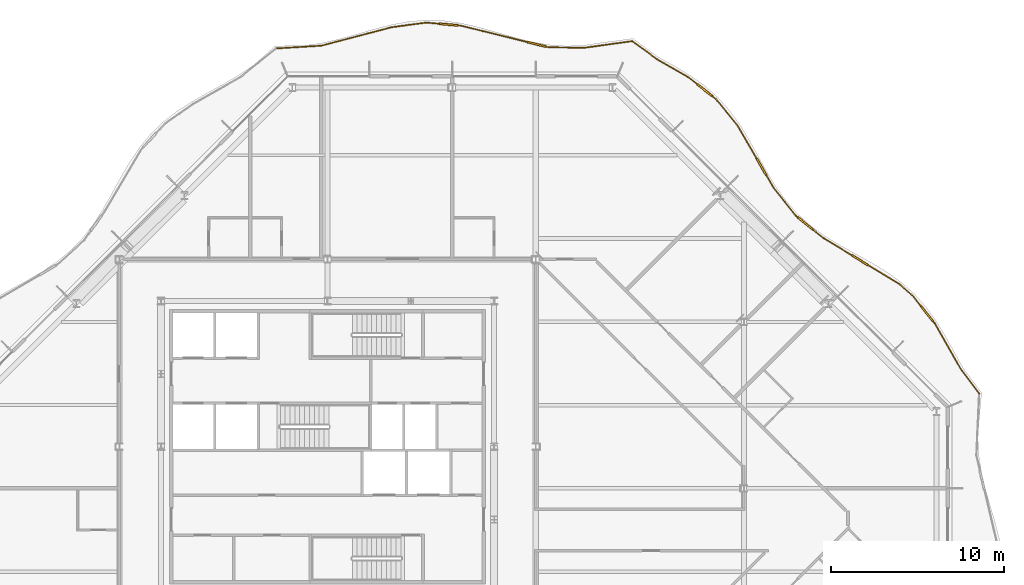
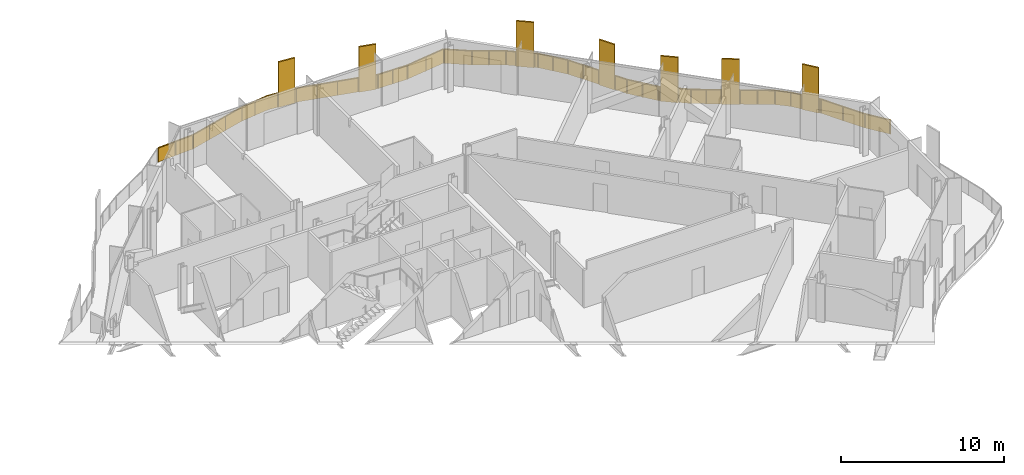
# One storey, part 17 of 17: 2 railings.
"""IFC4 building model written with IfcOpenShell, lengths in metres."""

from ifc_helpers import new_model, si_unit, direction, frame, origin, origin_2d, place, context, subcontext, project, spatial, polyline, rectangle, outline, extrude, material, type_object, element, save


model = new_model("IFC4")

# Units and contexts
model_context = context("Model", 3, precision=1e-05, world=origin(), true_north=direction((0.0, 1.0)))
body_context = subcontext(model_context, "Body", "Model", "MODEL_VIEW")
ifc_project = project(units=[si_unit("LENGTHUNIT", "METRE"), si_unit("AREAUNIT", "SQUARE_METRE"), si_unit("VOLUMEUNIT", "CUBIC_METRE"), si_unit("PLANEANGLEUNIT", "RADIAN"), si_unit("MASSUNIT", "GRAM", prefix="KILO")], contexts=[model_context])

# Site, building, storey
site_placement = place(None, origin())
site = spatial("IfcSite", under=ifc_project, at=site_placement, CompositionType="ELEMENT")
building_placement = place(site_placement, origin())
building = spatial("IfcBuilding", under=site, at=building_placement, Name="Cairn Pilgrim Tower", CompositionType="ELEMENT")
storey_placement = place(building_placement, frame((0.0, 0.0, 232.199951171875)))
storey = spatial("IfcBuildingStorey", under=building, at=storey_placement, Name="L59", CompositionType="ELEMENT", Elevation=232.199951171875)

# Railings
ifc_material = material(Name="Bronze anodised aluminium rail, posts and fin screens with laminated glass infill", Category="aluminium")
railing_type = type_object("IfcRailingType", Name="BALCONY GUARD WITH FIN SCREENS", PredefinedType="GUARDRAIL", material=ifc_material)
railing_1_placement = place(storey_placement, frame((44.757568359375, 5.461181640625, 0.0)))
element("IfcRailing", 1, at=railing_1_placement, inside=storey, type_object=railing_type, Name="Balcony guard BGF-4 with fin screens", PredefinedType="GUARDRAIL", context=body_context, shape_type="SweptSolid", body=[
    extrude(rectangle(XDim=0.050048828125, YDim=0.050048828125, at=origin_2d()), frame((0.0, 0.0, 1.0751953125), z_axis=(-0.601365733248, 0.798973876215, 0.0), x_axis=(-0.798973876215, -0.601365733248, 0.0)), (0.0, 0.0, 1.0), 1.6865234375),
    extrude(rectangle(XDim=0.050048828125, YDim=0.050048828125, at=origin_2d()), frame((-1.01416015625, 1.347412109375, 1.0751953125), z_axis=(-0.495995908465, 0.868324857865, 0.0), x_axis=(-0.868324857865, -0.495995908465, 0.0)), (0.0, 0.0, 1.0), 3.125244140625),
    extrude(rectangle(XDim=1.10009765625, YDim=0.110107421875, at=origin_2d()), frame((-3.001220703125, 4.608154296875, 0.0), z_axis=(0.0, 0.0, 1.0), x_axis=(-0.624158865616, 0.781297453262, 0.0)), (0.0, 0.0, 1.0), 3.39990234375),
    extrude(rectangle(XDim=0.050048828125, YDim=0.050048828125, at=origin_2d()), frame((-2.564208984375, 4.06103515625, 1.0751953125), z_axis=(-0.624158865616, 0.781297453262, 0.0), x_axis=(-0.781297453262, -0.624158865616, 0.0)), (0.0, 0.0, 1.0), 0.150146484375),
    extrude(rectangle(XDim=0.050048828125, YDim=0.050048828125, at=origin_2d()), frame((-3.344482421875, 5.037841796875, 1.0751953125), z_axis=(-0.624158865616, 0.781297453262, 0.0), x_axis=(-0.781297453262, -0.624158865616, 0.0)), (0.0, 0.0, 1.0), 0.74951171875),
    extrude(rectangle(XDim=0.050048828125, YDim=0.050048828125, at=origin_2d()), frame((-3.812255859375, 5.623291015625, 1.0751953125), z_axis=(-0.745456094868, 0.666554731905, 0.0), x_axis=(-0.666554731905, -0.745456094868, 0.0)), (0.0, 0.0, 1.0), 0.98095703125),
    extrude(rectangle(XDim=1.10009765625, YDim=0.110107421875, at=origin_2d()), frame((-6.878173828125, 7.695068359375, 0.0), z_axis=(0.0, 0.0, 1.0), x_axis=(-0.85470674054, 0.519111151561, 0.0)), (0.0, 0.0, 1.0), 3.39990234375),
    extrude(rectangle(XDim=0.050048828125, YDim=0.050048828125, at=origin_2d()), frame((-4.54345703125, 6.277099609375, 1.0751953125), z_axis=(-0.85470674054, 0.519111151561, 0.0), x_axis=(-0.519111151561, -0.85470674054, 0.0)), (0.0, 0.0, 1.0), 2.181640625),
    extrude(rectangle(XDim=0.050048828125, YDim=0.050048828125, at=origin_2d()), frame((-7.348388671875, 7.980712890625, 1.0751953125), z_axis=(-0.85470674054, 0.519111151561, 0.0), x_axis=(-0.519111151561, -0.85470674054, 0.0)), (0.0, 0.0, 1.0), 1.890625),
    extrude(rectangle(XDim=1.10009765625, YDim=0.110107421875, at=origin_2d()), frame((-10.0146484375, 9.809326171875, 0.0), z_axis=(0.0, 0.0, 1.0), x_axis=(-0.778375482298, 0.627799019239, 0.0)), (0.0, 0.0, 1.0), 3.39990234375),
    extrude(rectangle(XDim=0.050048828125, YDim=0.050048828125, at=origin_2d()), frame((-8.96435546875, 8.962158203125, 1.0751953125), z_axis=(-0.778375482298, 0.627799019239, 0.0), x_axis=(-0.627799019239, -0.778375482298, 0.0)), (0.0, 0.0, 1.0), 0.799560546875),
    extrude(rectangle(XDim=0.050048828125, YDim=0.050048828125, at=origin_2d()), frame((-10.44287109375, 10.154541015625, 1.0751953125), z_axis=(-0.778375482298, 0.627799019239, 0.0), x_axis=(-0.627799019239, -0.778375482298, 0.0)), (0.0, 0.0, 1.0), 0.14990234375),
    extrude(rectangle(XDim=0.050048828125, YDim=0.050048828125, at=origin_2d()), frame((-10.5595703125, 10.248779296875, 1.0751953125), z_axis=(-0.622675933805, 0.782479828149, 0.0), x_axis=(-0.782479828149, -0.622675933805, 0.0)), (0.0, 0.0, 1.0), 2.0517578125),
    extrude(rectangle(XDim=1.10009765625, YDim=0.110107421875, at=origin_2d()), frame((-12.548583984375, 13.077880859375, 0.0), z_axis=(0.0, 0.0, 1.0), x_axis=(-0.502546001039, 0.864550470961, 0.0)), (0.0, 0.0, 1.0), 3.39990234375),
    extrude(rectangle(XDim=0.050048828125, YDim=0.050048828125, at=origin_2d()), frame((-11.837158203125, 11.854248046875, 1.0751953125), z_axis=(-0.502546001039, 0.864550470961, 0.0), x_axis=(-0.864550470961, -0.502546001039, 0.0)), (0.0, 0.0, 1.0), 0.865478515625),
    extrude(rectangle(XDim=0.050048828125, YDim=0.050048828125, at=origin_2d()), frame((-12.824951171875, 13.553466796875, 1.0751953125), z_axis=(-0.502546001039, 0.864550470961, 0.0), x_axis=(-0.864550470961, -0.502546001039, 0.0)), (0.0, 0.0, 1.0), 2.195068359375),
    extrude(rectangle(XDim=0.050048828125, YDim=0.050048828125, at=origin_2d()), frame((-13.927978515625, 15.451171875, 1.0751953125), z_axis=(-0.63148210093, 0.775390454032, 0.0), x_axis=(-0.775390454032, -0.63148210093, 0.0)), (0.0, 0.0, 1.0), 1.993408203125),
    extrude(rectangle(XDim=1.10009765625, YDim=0.110107421875, at=origin_2d()), frame((-15.812255859375, 17.489990234375, 0.0), z_axis=(0.0, 0.0, 1.0), x_axis=(-0.785354848701, 0.619045847755, 0.0)), (0.0, 0.0, 1.0), 3.39990234375),
    extrude(rectangle(XDim=0.050048828125, YDim=0.050048828125, at=origin_2d()), frame((-15.186767578125, 16.996826171875, 1.0751953125), z_axis=(-0.785354848701, 0.619045847755, 0.0), x_axis=(-0.619045847755, -0.785354848701, 0.0)), (0.0, 0.0, 1.0), 0.246337890625),
    extrude(rectangle(XDim=0.050048828125, YDim=0.050048828125, at=origin_2d()), frame((-16.244140625, 17.830322265625, 1.0751953125), z_axis=(-0.785354848701, 0.619045847755, 0.0), x_axis=(-0.619045847755, -0.785354848701, 0.0)), (0.0, 0.0, 1.0), 0.6513671875),
    extrude(rectangle(XDim=0.050048828125, YDim=0.050048828125, at=origin_2d()), frame((-16.755859375, 18.233642578125, 1.0751953125), z_axis=(-0.866533230715, 0.499119384584, 0.0), x_axis=(-0.499119384584, -0.866533230715, 0.0)), (0.0, 0.0, 1.0), 2.079833984375),
    extrude(rectangle(XDim=0.050048828125, YDim=0.050048828125, at=origin_2d()), frame((-18.55810546875, 19.271728515625, 1.0751953125), z_axis=(-0.808902065064, 0.587943406405, 0.0), x_axis=(-0.587943406405, -0.808902065064, 0.0)), (0.0, 0.0, 1.0), 1.717041015625),
    extrude(rectangle(XDim=0.050048828125, YDim=0.050048828125, at=origin_2d()), origin(), (0.0, 0.0, 1.0), 1.050048828125),
    extrude(rectangle(XDim=0.050048828125, YDim=0.050048828125, at=origin_2d()), frame((-1.01416015625, 1.347412109375, 0.0)), (0.0, 0.0, 1.0), 1.050048828125),
    extrude(rectangle(XDim=0.050048828125, YDim=0.050048828125, at=origin_2d()), frame((-1.7890625, 2.7041015625, 0.0)), (0.0, 0.0, 1.0), 1.050048828125),
    extrude(rectangle(XDim=0.050048828125, YDim=0.050048828125, at=origin_2d()), frame((-2.564208984375, 4.06103515625, 0.0)), (0.0, 0.0, 1.0), 1.050048828125),
    extrude(rectangle(XDim=0.050048828125, YDim=0.050048828125, at=origin_2d()), frame((-2.642333984375, 4.15869140625, 0.0)), (0.0, 0.0, 1.0), 1.050048828125),
    extrude(rectangle(XDim=0.050048828125, YDim=0.050048828125, at=origin_2d()), frame((-3.360107421875, 5.057373046875, 0.0)), (0.0, 0.0, 1.0), 1.050048828125),
    extrude(rectangle(XDim=0.050048828125, YDim=0.050048828125, at=origin_2d()), frame((-3.812255859375, 5.623291015625, 0.0)), (0.0, 0.0, 1.0), 1.050048828125),
    extrude(rectangle(XDim=0.050048828125, YDim=0.050048828125, at=origin_2d()), frame((-4.54345703125, 6.277099609375, 0.0)), (0.0, 0.0, 1.0), 1.050048828125),
    extrude(rectangle(XDim=0.050048828125, YDim=0.050048828125, at=origin_2d()), frame((-5.465087890625, 6.8369140625, 0.0)), (0.0, 0.0, 1.0), 1.050048828125),
    extrude(rectangle(XDim=0.050048828125, YDim=0.050048828125, at=origin_2d()), frame((-6.38671875, 7.396728515625, 0.0)), (0.0, 0.0, 1.0), 1.050048828125),
    extrude(rectangle(XDim=0.050048828125, YDim=0.050048828125, at=origin_2d()), frame((-7.36962890625, 7.99365234375, 0.0)), (0.0, 0.0, 1.0), 1.050048828125),
    extrude(rectangle(XDim=0.050048828125, YDim=0.050048828125, at=origin_2d()), frame((-8.1669921875, 8.47802734375, 0.0)), (0.0, 0.0, 1.0), 1.050048828125),
    extrude(rectangle(XDim=0.050048828125, YDim=0.050048828125, at=origin_2d()), frame((-8.96435546875, 8.962158203125, 0.0)), (0.0, 0.0, 1.0), 1.050048828125),
    extrude(rectangle(XDim=0.050048828125, YDim=0.050048828125, at=origin_2d()), frame((-9.567138671875, 9.448486328125, 0.0)), (0.0, 0.0, 1.0), 1.050048828125),
    extrude(rectangle(XDim=0.050048828125, YDim=0.050048828125, at=origin_2d()), frame((-10.46240234375, 10.17041015625, 0.0)), (0.0, 0.0, 1.0), 1.050048828125),
    extrude(rectangle(XDim=0.050048828125, YDim=0.050048828125, at=origin_2d()), frame((-10.5595703125, 10.248779296875, 0.0)), (0.0, 0.0, 1.0), 1.050048828125),
    extrude(rectangle(XDim=0.050048828125, YDim=0.050048828125, at=origin_2d()), frame((-11.1982421875, 11.051513671875, 0.0)), (0.0, 0.0, 1.0), 1.050048828125),
    extrude(rectangle(XDim=0.050048828125, YDim=0.050048828125, at=origin_2d()), frame((-11.837158203125, 11.854248046875, 0.0)), (0.0, 0.0, 1.0), 1.050048828125),
    extrude(rectangle(XDim=0.050048828125, YDim=0.050048828125, at=origin_2d()), frame((-12.259521484375, 12.580810546875, 0.0)), (0.0, 0.0, 1.0), 1.050048828125),
    extrude(rectangle(XDim=0.050048828125, YDim=0.050048828125, at=origin_2d()), frame((-12.83740234375, 13.574951171875, 0.0)), (0.0, 0.0, 1.0), 1.050048828125),
    extrude(rectangle(XDim=0.050048828125, YDim=0.050048828125, at=origin_2d()), frame((-13.3828125, 14.51318359375, 0.0)), (0.0, 0.0, 1.0), 1.050048828125),
    extrude(rectangle(XDim=0.050048828125, YDim=0.050048828125, at=origin_2d()), frame((-13.927978515625, 15.451171875, 0.0)), (0.0, 0.0, 1.0), 1.050048828125),
    extrude(rectangle(XDim=0.050048828125, YDim=0.050048828125, at=origin_2d()), frame((-14.557373046875, 16.22412109375, 0.0)), (0.0, 0.0, 1.0), 1.050048828125),
    extrude(rectangle(XDim=0.050048828125, YDim=0.050048828125, at=origin_2d()), frame((-15.186767578125, 16.996826171875, 0.0)), (0.0, 0.0, 1.0), 1.050048828125),
    extrude(rectangle(XDim=0.050048828125, YDim=0.050048828125, at=origin_2d()), frame((-15.360595703125, 17.1337890625, 0.0)), (0.0, 0.0, 1.0), 1.050048828125),
    extrude(rectangle(XDim=0.050048828125, YDim=0.050048828125, at=origin_2d()), frame((-16.263916015625, 17.845947265625, 0.0)), (0.0, 0.0, 1.0), 1.050048828125),
    extrude(rectangle(XDim=0.050048828125, YDim=0.050048828125, at=origin_2d()), frame((-16.755859375, 18.233642578125, 0.0)), (0.0, 0.0, 1.0), 1.050048828125),
    extrude(rectangle(XDim=0.050048828125, YDim=0.050048828125, at=origin_2d()), frame((-17.656982421875, 18.752685546875, 0.0)), (0.0, 0.0, 1.0), 1.050048828125),
    extrude(rectangle(XDim=0.050048828125, YDim=0.050048828125, at=origin_2d()), frame((-18.55810546875, 19.271728515625, 0.0)), (0.0, 0.0, 1.0), 1.050048828125),
    extrude(rectangle(XDim=0.050048828125, YDim=0.050048828125, at=origin_2d()), frame((-19.947021484375, 20.28125, 0.0)), (0.0, 0.0, 1.0), 1.050048828125),
    extrude(outline(polyline([(0.02490234375, 0.0), (1.661376953125, 0.0), (1.661376953125, 1.050048828125), (0.02490234375, 1.050048828125), (0.02490234375, 0.0)])), frame((-0.0048828125, -0.003662109375, 0.0), z_axis=(0.798973876215, 0.601365733248, 0.0), x_axis=(-0.601365733248, 0.798973876215, 0.0)), (0.0, 0.0, 1.0), 0.011962890625),
    extrude(outline(polyline([(0.02490234375, 0.0), (1.53759765625, 0.0), (1.53759765625, 1.050048828125), (0.02490234375, 1.050048828125), (0.02490234375, 0.0)])), frame((-1.019287109375, 1.344482421875, 0.0), z_axis=(0.868324857865, 0.495995908465, 0.0), x_axis=(-0.495995908465, 0.868324857865, 0.0)), (0.0, 0.0, 1.0), 0.011962890625),
    extrude(outline(polyline([(0.02490234375, 0.0), (1.53759765625, 0.0), (1.53759765625, 1.050048828125), (0.02490234375, 1.050048828125), (0.02490234375, 0.0)])), frame((-1.79443359375, 2.701171875, 0.0), z_axis=(0.868324857865, 0.495995908465, 0.0), x_axis=(-0.495995908465, 0.868324857865, 0.0)), (0.0, 0.0, 1.0), 0.011962890625),
    extrude(outline(polyline([(0.02490234375, 0.0), (0.10009765625, 0.0), (0.10009765625, 1.050048828125), (0.02490234375, 1.050048828125), (0.02490234375, 0.0)])), frame((-2.56884765625, 4.057373046875, 0.0), z_axis=(0.781297453262, 0.624158865616, 0.0), x_axis=(-0.624158865616, 0.781297453262, 0.0)), (0.0, 0.0, 1.0), 0.011962890625),
    extrude(outline(polyline([(0.02490234375, 0.0), (0.699462890625, 0.0), (0.699462890625, 1.050048828125), (0.02490234375, 1.050048828125), (0.02490234375, 0.0)])), frame((-3.36474609375, 5.0537109375, 0.0), z_axis=(0.781297453262, 0.624158865616, 0.0), x_axis=(-0.624158865616, 0.781297453262, 0.0)), (0.0, 0.0, 1.0), 0.011962890625),
    extrude(outline(polyline([(0.02490234375, 0.0), (0.955810546875, 0.0), (0.955810546875, 1.050048828125), (0.02490234375, 1.050048828125), (0.02490234375, 0.0)])), frame((-3.816162109375, 5.618896484375, 0.0), z_axis=(0.666554731905, 0.745456094868, 0.0), x_axis=(-0.745456094868, 0.666554731905, 0.0)), (0.0, 0.0, 1.0), 0.011962890625),
    extrude(outline(polyline([(0.02490234375, 0.0), (1.05322265625, 0.0), (1.05322265625, 1.050048828125), (0.02490234375, 1.050048828125), (0.02490234375, 0.0)])), frame((-4.546630859375, 6.27197265625, 0.0), z_axis=(0.519111151561, 0.85470674054, 0.0), x_axis=(-0.85470674054, 0.519111151561, 0.0)), (0.0, 0.0, 1.0), 0.011962890625),
    extrude(outline(polyline([(0.02490234375, 0.0), (1.05322265625, 0.0), (1.05322265625, 1.050048828125), (0.02490234375, 1.050048828125), (0.02490234375, 0.0)])), frame((-5.46826171875, 6.831787109375, 0.0), z_axis=(0.519111151561, 0.85470674054, 0.0), x_axis=(-0.85470674054, 0.519111151561, 0.0)), (0.0, 0.0, 1.0), 0.011962890625),
    extrude(outline(polyline([(0.02490234375, 0.0), (0.90771484375, 0.0), (0.90771484375, 1.050048828125), (0.02490234375, 1.050048828125), (0.02490234375, 0.0)])), frame((-7.372802734375, 7.988525390625, 0.0), z_axis=(0.519111151561, 0.85470674054, 0.0), x_axis=(-0.85470674054, 0.519111151561, 0.0)), (0.0, 0.0, 1.0), 0.011962890625),
    extrude(outline(polyline([(0.02490234375, 0.0), (0.90771484375, 0.0), (0.90771484375, 1.050048828125), (0.02490234375, 1.050048828125), (0.02490234375, 0.0)])), frame((-8.170166015625, 8.472900390625, 0.0), z_axis=(0.519111151561, 0.85470674054, 0.0), x_axis=(-0.85470674054, 0.519111151561, 0.0)), (0.0, 0.0, 1.0), 0.011962890625),
    extrude(outline(polyline([(0.02490234375, 0.0), (0.74951171875, 0.0), (0.74951171875, 1.050048828125), (0.02490234375, 1.050048828125), (0.02490234375, 0.0)])), frame((-8.968017578125, 8.95751953125, 0.0), z_axis=(0.627799019239, 0.778375482298, 0.0), x_axis=(-0.778375482298, 0.627799019239, 0.0)), (0.0, 0.0, 1.0), 0.011962890625),
    extrude(outline(polyline([(0.02490234375, 0.0), (0.099853515625, 0.0), (0.099853515625, 1.050048828125), (0.02490234375, 1.050048828125), (0.02490234375, 0.0)])), frame((-10.466064453125, 10.165771484375, 0.0), z_axis=(0.627799019239, 0.778375482298, 0.0), x_axis=(-0.778375482298, 0.627799019239, 0.0)), (0.0, 0.0, 1.0), 0.011962890625),
    extrude(outline(polyline([(0.02490234375, 0.0), (1.0009765625, 0.0), (1.0009765625, 1.050048828125), (0.02490234375, 1.050048828125), (0.02490234375, 0.0)])), frame((-10.564208984375, 10.2451171875, 0.0), z_axis=(0.782479828149, 0.622675933805, 0.0), x_axis=(-0.622675933805, 0.782479828149, 0.0)), (0.0, 0.0, 1.0), 0.011962890625),
    extrude(outline(polyline([(0.02490234375, 0.0), (1.0009765625, 0.0), (1.0009765625, 1.050048828125), (0.02490234375, 1.050048828125), (0.02490234375, 0.0)])), frame((-11.203125, 11.0478515625, 0.0), z_axis=(0.782479828149, 0.622675933805, 0.0), x_axis=(-0.622675933805, 0.782479828149, 0.0)), (0.0, 0.0, 1.0), 0.011962890625),
    extrude(outline(polyline([(0.02490234375, 0.0), (0.8154296875, 0.0), (0.8154296875, 1.050048828125), (0.02490234375, 1.050048828125), (0.02490234375, 0.0)])), frame((-11.84228515625, 11.851318359375, 0.0), z_axis=(0.864550470961, 0.502546001039, 0.0), x_axis=(-0.502546001039, 0.864550470961, 0.0)), (0.0, 0.0, 1.0), 0.011962890625),
    extrude(outline(polyline([(0.02490234375, 0.0), (1.06005859375, 0.0), (1.06005859375, 1.050048828125), (0.02490234375, 1.050048828125), (0.02490234375, 0.0)])), frame((-12.842529296875, 13.572021484375, 0.0), z_axis=(0.864550470961, 0.502546001039, 0.0), x_axis=(-0.502546001039, 0.864550470961, 0.0)), (0.0, 0.0, 1.0), 0.011962890625),
    extrude(outline(polyline([(0.02490234375, 0.0), (1.06005859375, 0.0), (1.06005859375, 1.050048828125), (0.02490234375, 1.050048828125), (0.02490234375, 0.0)])), frame((-13.387939453125, 14.510009765625, 0.0), z_axis=(0.864550470961, 0.502546001039, 0.0), x_axis=(-0.502546001039, 0.864550470961, 0.0)), (0.0, 0.0, 1.0), 0.011962890625),
    extrude(outline(polyline([(0.02490234375, 0.0), (0.9716796875, 0.0), (0.9716796875, 1.050048828125), (0.02490234375, 1.050048828125), (0.02490234375, 0.0)])), frame((-13.9326171875, 15.447509765625, 0.0), z_axis=(0.775390454032, 0.63148210093, 0.0), x_axis=(-0.63148210093, 0.775390454032, 0.0)), (0.0, 0.0, 1.0), 0.011962890625),
    extrude(outline(polyline([(0.02490234375, 0.0), (0.9716796875, 0.0), (0.9716796875, 1.050048828125), (0.02490234375, 1.050048828125), (0.02490234375, 0.0)])), frame((-14.56201171875, 16.22021484375, 0.0), z_axis=(0.775390454032, 0.63148210093, 0.0), x_axis=(-0.63148210093, 0.775390454032, 0.0)), (0.0, 0.0, 1.0), 0.011962890625),
    extrude(outline(polyline([(0.02490234375, 0.0), (0.1962890625, 0.0), (0.1962890625, 1.050048828125), (0.02490234375, 1.050048828125), (0.02490234375, 0.0)])), frame((-15.1904296875, 16.9921875, 0.0), z_axis=(0.619045847755, 0.785354848701, 0.0), x_axis=(-0.785354848701, 0.619045847755, 0.0)), (0.0, 0.0, 1.0), 0.011962890625),
    extrude(outline(polyline([(0.02490234375, 0.0), (0.601318359375, 0.0), (0.601318359375, 1.050048828125), (0.02490234375, 1.050048828125), (0.02490234375, 0.0)])), frame((-16.267578125, 17.841064453125, 0.0), z_axis=(0.619045847755, 0.785354848701, 0.0), x_axis=(-0.785354848701, 0.619045847755, 0.0)), (0.0, 0.0, 1.0), 0.011962890625),
    extrude(outline(polyline([(0.02490234375, 0.0), (1.014892578125, 0.0), (1.014892578125, 1.050048828125), (0.02490234375, 1.050048828125), (0.02490234375, 0.0)])), frame((-16.7587890625, 18.228515625, 0.0), z_axis=(0.499119384584, 0.866533230715, 0.0), x_axis=(-0.866533230715, 0.499119384584, 0.0)), (0.0, 0.0, 1.0), 0.011962890625),
    extrude(outline(polyline([(0.02490234375, 0.0), (1.014892578125, 0.0), (1.014892578125, 1.050048828125), (0.02490234375, 1.050048828125), (0.02490234375, 0.0)])), frame((-17.659912109375, 18.74755859375, 0.0), z_axis=(0.499119384584, 0.866533230715, 0.0), x_axis=(-0.866533230715, 0.499119384584, 0.0)), (0.0, 0.0, 1.0), 0.011962890625),
    extrude(outline(polyline([(0.02490234375, 0.0), (1.69189453125, 0.0), (1.69189453125, 1.050048828125), (0.02490234375, 1.050048828125), (0.02490234375, 0.0)])), frame((-18.5615234375, 19.266845703125, 0.0), z_axis=(0.587943406405, 0.808902065064, 0.0), x_axis=(-0.808902065064, 0.587943406405, 0.0)), (0.0, 0.0, 1.0), 0.011962890625),
])
railing_2_placement = place(storey_placement, frame((24.761962890625, 25.777587890625, 0.0)))
element("IfcRailing", 2, at=railing_2_placement, inside=storey, type_object=railing_type, Name="Balcony guard BGF-5 with fin screens", PredefinedType="GUARDRAIL", context=body_context, shape_type="SweptSolid", body=[
    extrude(rectangle(XDim=0.050048828125, YDim=0.050048828125, at=origin_2d()), frame((0.0, 0.0, 1.0751953125), z_axis=(-0.990552235452, -0.137135950217, 0.0), x_axis=(0.137135950217, -0.990552235452, 0.0)), (0.0, 0.0, 1.0), 2.80029296875),
    extrude(rectangle(XDim=0.050048828125, YDim=0.050048828125, at=origin_2d()), frame((-2.77392578125, -0.384033203125, 1.0751953125), z_axis=(-0.999880122629, 0.015483551631, 0.0), x_axis=(-0.015483551631, -0.999880122629, 0.0)), (0.0, 0.0, 1.0), 2.0498046875),
    extrude(rectangle(XDim=1.10009765625, YDim=0.110107421875, at=origin_2d()), frame((-5.503173828125, -0.184814453125, 0.0), z_axis=(0.0, 0.0, 1.0), x_axis=(-0.970944887141, 0.239303209622, 0.0)), (0.0, 0.0, 1.0), 3.39990234375),
    extrude(rectangle(XDim=0.050048828125, YDim=0.050048828125, at=origin_2d()), frame((-4.823486328125, -0.352294921875, 1.0751953125), z_axis=(-0.970944887141, 0.239303209622, 0.0), x_axis=(-0.239303209622, -0.970944887141, 0.0)), (0.0, 0.0, 1.0), 0.14990234375),
    extrude(rectangle(XDim=0.050048828125, YDim=0.050048828125, at=origin_2d()), frame((-6.037109375, -0.05322265625, 1.0751953125), z_axis=(-0.970944887141, 0.239303209622, 0.0), x_axis=(-0.239303209622, -0.970944887141, 0.0)), (0.0, 0.0, 1.0), 3.959228515625),
    extrude(rectangle(XDim=1.10009765625, YDim=0.110107421875, at=origin_2d()), frame((-10.578857421875, 0.955322265625, 0.0), z_axis=(0.0, 0.0, 1.0), x_axis=(-0.996196498752, 0.087135158656, 0.0)), (0.0, 0.0, 1.0), 3.39990234375),
    extrude(rectangle(XDim=0.050048828125, YDim=0.050048828125, at=origin_2d()), frame((-9.88134765625, 0.894287109375, 1.0751953125), z_axis=(-0.996196498752, 0.087135158656, 0.0), x_axis=(-0.087135158656, -0.996196498752, 0.0)), (0.0, 0.0, 1.0), 0.150146484375),
    extrude(rectangle(XDim=0.050048828125, YDim=0.050048828125, at=origin_2d()), frame((-11.126708984375, 1.003173828125, 1.0751953125), z_axis=(-0.996196498752, 0.087135158656, 0.0), x_axis=(-0.087135158656, -0.996196498752, 0.0)), (0.0, 0.0, 1.0), 0.75048828125),
    extrude(rectangle(XDim=0.050048828125, YDim=0.050048828125, at=origin_2d()), frame((-11.874267578125, 1.068603515625, 1.0751953125), z_axis=(-0.991223663308, -0.132195496514, 0.0), x_axis=(0.132195496514, -0.991223663308, 0.0)), (0.0, 0.0, 1.0), 2.012939453125),
    extrude(rectangle(XDim=0.050048828125, YDim=0.050048828125, at=origin_2d()), frame((-13.86962890625, 0.802490234375, 1.0751953125), z_axis=(-0.967069247657, -0.254513398934, 0.0), x_axis=(0.254513398934, -0.967069247657, 0.0)), (0.0, 0.0, 1.0), 4.185302734375),
    extrude(rectangle(XDim=0.050048828125, YDim=0.050048828125, at=origin_2d()), frame((-17.9169921875, -0.2626953125, 1.0751953125), z_axis=(-0.998211234645, -0.059785709232, 0.0), x_axis=(0.059785709232, -0.998211234645, 0.0)), (0.0, 0.0, 1.0), 2.556396484375),
    extrude(rectangle(XDim=0.050048828125, YDim=0.050048828125, at=origin_2d()), origin(), (0.0, 0.0, 1.0), 1.050048828125),
    extrude(rectangle(XDim=0.050048828125, YDim=0.050048828125, at=origin_2d()), frame((-1.386962890625, -0.19189453125, 0.0)), (0.0, 0.0, 1.0), 1.050048828125),
    extrude(rectangle(XDim=0.050048828125, YDim=0.050048828125, at=origin_2d()), frame((-2.77392578125, -0.384033203125, 0.0)), (0.0, 0.0, 1.0), 1.050048828125),
    extrude(rectangle(XDim=0.050048828125, YDim=0.050048828125, at=origin_2d()), frame((-3.798828125, -0.3681640625, 0.0)), (0.0, 0.0, 1.0), 1.050048828125),
    extrude(rectangle(XDim=0.050048828125, YDim=0.050048828125, at=origin_2d()), frame((-4.823486328125, -0.352294921875, 0.0)), (0.0, 0.0, 1.0), 1.050048828125),
    extrude(rectangle(XDim=0.050048828125, YDim=0.050048828125, at=origin_2d()), frame((-4.94482421875, -0.322265625, 0.0)), (0.0, 0.0, 1.0), 1.050048828125),
    extrude(rectangle(XDim=0.050048828125, YDim=0.050048828125, at=origin_2d()), frame((-6.0615234375, -0.047119140625, 0.0)), (0.0, 0.0, 1.0), 1.050048828125),
    extrude(rectangle(XDim=0.050048828125, YDim=0.050048828125, at=origin_2d()), frame((-7.334716796875, 0.2666015625, 0.0)), (0.0, 0.0, 1.0), 1.050048828125),
    extrude(rectangle(XDim=0.050048828125, YDim=0.050048828125, at=origin_2d()), frame((-8.608154296875, 0.58056640625, 0.0)), (0.0, 0.0, 1.0), 1.050048828125),
    extrude(rectangle(XDim=0.050048828125, YDim=0.050048828125, at=origin_2d()), frame((-9.88134765625, 0.894287109375, 0.0)), (0.0, 0.0, 1.0), 1.050048828125),
    extrude(rectangle(XDim=0.050048828125, YDim=0.050048828125, at=origin_2d()), frame((-10.005859375, 0.9052734375, 0.0)), (0.0, 0.0, 1.0), 1.050048828125),
    extrude(rectangle(XDim=0.050048828125, YDim=0.050048828125, at=origin_2d()), frame((-11.151611328125, 1.00537109375, 0.0)), (0.0, 0.0, 1.0), 1.050048828125),
    extrude(rectangle(XDim=0.050048828125, YDim=0.050048828125, at=origin_2d()), frame((-11.874267578125, 1.068603515625, 0.0)), (0.0, 0.0, 1.0), 1.050048828125),
    extrude(rectangle(XDim=0.050048828125, YDim=0.050048828125, at=origin_2d()), frame((-12.8720703125, 0.935546875, 0.0)), (0.0, 0.0, 1.0), 1.050048828125),
    extrude(rectangle(XDim=0.050048828125, YDim=0.050048828125, at=origin_2d()), frame((-13.86962890625, 0.802490234375, 0.0)), (0.0, 0.0, 1.0), 1.050048828125),
    extrude(rectangle(XDim=0.050048828125, YDim=0.050048828125, at=origin_2d()), frame((-15.21875, 0.447509765625, 0.0)), (0.0, 0.0, 1.0), 1.050048828125),
    extrude(rectangle(XDim=0.050048828125, YDim=0.050048828125, at=origin_2d()), frame((-16.56787109375, 0.09228515625, 0.0)), (0.0, 0.0, 1.0), 1.050048828125),
    extrude(rectangle(XDim=0.050048828125, YDim=0.050048828125, at=origin_2d()), frame((-17.9169921875, -0.2626953125, 0.0)), (0.0, 0.0, 1.0), 1.050048828125),
    extrude(rectangle(XDim=0.050048828125, YDim=0.050048828125, at=origin_2d()), frame((-19.19287109375, -0.339111328125, 0.0)), (0.0, 0.0, 1.0), 1.050048828125),
    extrude(rectangle(XDim=0.050048828125, YDim=0.050048828125, at=origin_2d()), frame((-20.46875, -0.41552734375, 0.0)), (0.0, 0.0, 1.0), 1.050048828125),
    extrude(outline(polyline([(0.02490234375, 0.0), (1.375244140625, 0.0), (1.375244140625, 1.050048828125), (0.02490234375, 1.050048828125), (0.02490234375, 0.0)])), frame((0.000732421875, -0.005859375, 0.0), z_axis=(-0.137135950217, 0.990552235452, 0.0), x_axis=(-0.990552235452, -0.137135950217, 0.0)), (0.0, 0.0, 1.0), 0.011962890625),
    extrude(outline(polyline([(0.02490234375, 0.0), (1.375244140625, 0.0), (1.375244140625, 1.050048828125), (0.02490234375, 1.050048828125), (0.02490234375, 0.0)])), frame((-1.38623046875, -0.197998046875, 0.0), z_axis=(-0.137135950217, 0.990552235452, 0.0), x_axis=(-0.990552235452, -0.137135950217, 0.0)), (0.0, 0.0, 1.0), 0.011962890625),
    extrude(outline(polyline([(0.02490234375, 0.0), (1.0, 0.0), (1.0, 1.050048828125), (0.02490234375, 1.050048828125), (0.02490234375, 0.0)])), frame((-2.77392578125, -0.389892578125, 0.0), z_axis=(0.015483551631, 0.999880122629, 0.0), x_axis=(-0.999880122629, 0.015483551631, 0.0)), (0.0, 0.0, 1.0), 0.011962890625),
    extrude(outline(polyline([(0.02490234375, 0.0), (1.0, 0.0), (1.0, 1.050048828125), (0.02490234375, 1.050048828125), (0.02490234375, 0.0)])), frame((-3.798828125, -0.3740234375, 0.0), z_axis=(0.015483551631, 0.999880122629, 0.0), x_axis=(-0.999880122629, 0.015483551631, 0.0)), (0.0, 0.0, 1.0), 0.011962890625),
    extrude(outline(polyline([(0.02490234375, 0.0), (0.099853515625, 0.0), (0.099853515625, 1.050048828125), (0.02490234375, 1.050048828125), (0.02490234375, 0.0)])), frame((-4.824951171875, -0.358154296875, 0.0), z_axis=(0.239303209622, 0.970944887141, 0.0), x_axis=(-0.970944887141, 0.239303209622, 0.0)), (0.0, 0.0, 1.0), 0.011962890625),
    extrude(outline(polyline([(0.02490234375, 0.0), (1.286376953125, 0.0), (1.286376953125, 1.050048828125), (0.02490234375, 1.050048828125), (0.02490234375, 0.0)])), frame((-6.06298828125, -0.052978515625, 0.0), z_axis=(0.239303209622, 0.970944887141, 0.0), x_axis=(-0.970944887141, 0.239303209622, 0.0)), (0.0, 0.0, 1.0), 0.011962890625),
    extrude(outline(polyline([(0.02490234375, 0.0), (1.286376953125, 0.0), (1.286376953125, 1.050048828125), (0.02490234375, 1.050048828125), (0.02490234375, 0.0)])), frame((-7.336181640625, 0.2607421875, 0.0), z_axis=(0.239303209622, 0.970944887141, 0.0), x_axis=(-0.970944887141, 0.239303209622, 0.0)), (0.0, 0.0, 1.0), 0.011962890625),
    extrude(outline(polyline([(0.02490234375, 0.0), (1.286376953125, 0.0), (1.286376953125, 1.050048828125), (0.02490234375, 1.050048828125), (0.02490234375, 0.0)])), frame((-8.609375, 0.57470703125, 0.0), z_axis=(0.239303209622, 0.970944887141, 0.0), x_axis=(-0.970944887141, 0.239303209622, 0.0)), (0.0, 0.0, 1.0), 0.011962890625),
    extrude(outline(polyline([(0.02490234375, 0.0), (0.10009765625, 0.0), (0.10009765625, 1.050048828125), (0.02490234375, 1.050048828125), (0.02490234375, 0.0)])), frame((-9.8818359375, 0.888427734375, 0.0), z_axis=(0.087135158656, 0.996196498752, 0.0), x_axis=(-0.996196498752, 0.087135158656, 0.0)), (0.0, 0.0, 1.0), 0.011962890625),
    extrude(outline(polyline([(0.02490234375, 0.0), (0.700439453125, 0.0), (0.700439453125, 1.050048828125), (0.02490234375, 1.050048828125), (0.02490234375, 0.0)])), frame((-11.152099609375, 0.99951171875, 0.0), z_axis=(0.087135158656, 0.996196498752, 0.0), x_axis=(-0.996196498752, 0.087135158656, 0.0)), (0.0, 0.0, 1.0), 0.011962890625),
    extrude(outline(polyline([(0.02490234375, 0.0), (0.9814453125, 0.0), (0.9814453125, 1.050048828125), (0.02490234375, 1.050048828125), (0.02490234375, 0.0)])), frame((-11.87353515625, 1.062744140625, 0.0), z_axis=(-0.132195496514, 0.991223663308, 0.0), x_axis=(-0.991223663308, -0.132195496514, 0.0)), (0.0, 0.0, 1.0), 0.011962890625),
    extrude(outline(polyline([(0.02490234375, 0.0), (0.9814453125, 0.0), (0.9814453125, 1.050048828125), (0.02490234375, 1.050048828125), (0.02490234375, 0.0)])), frame((-12.87109375, 0.9296875, 0.0), z_axis=(-0.132195496514, 0.991223663308, 0.0), x_axis=(-0.991223663308, -0.132195496514, 0.0)), (0.0, 0.0, 1.0), 0.011962890625),
    extrude(outline(polyline([(0.02490234375, 0.0), (1.3701171875, 0.0), (1.3701171875, 1.050048828125), (0.02490234375, 1.050048828125), (0.02490234375, 0.0)])), frame((-13.8681640625, 0.796630859375, 0.0), z_axis=(-0.254513398934, 0.967069247657, 0.0), x_axis=(-0.967069247657, -0.254513398934, 0.0)), (0.0, 0.0, 1.0), 0.011962890625),
    extrude(outline(polyline([(0.02490234375, 0.0), (1.3701171875, 0.0), (1.3701171875, 1.050048828125), (0.02490234375, 1.050048828125), (0.02490234375, 0.0)])), frame((-15.21728515625, 0.441650390625, 0.0), z_axis=(-0.254513398934, 0.967069247657, 0.0), x_axis=(-0.967069247657, -0.254513398934, 0.0)), (0.0, 0.0, 1.0), 0.011962890625),
    extrude(outline(polyline([(0.02490234375, 0.0), (1.3701171875, 0.0), (1.3701171875, 1.050048828125), (0.02490234375, 1.050048828125), (0.02490234375, 0.0)])), frame((-16.56640625, 0.086669921875, 0.0), z_axis=(-0.254513398934, 0.967069247657, 0.0), x_axis=(-0.967069247657, -0.254513398934, 0.0)), (0.0, 0.0, 1.0), 0.011962890625),
    extrude(outline(polyline([(0.02490234375, 0.0), (1.253173828125, 0.0), (1.253173828125, 1.050048828125), (0.02490234375, 1.050048828125), (0.02490234375, 0.0)])), frame((-17.916748046875, -0.2685546875, 0.0), z_axis=(-0.059785709232, 0.998211234645, 0.0), x_axis=(-0.998211234645, -0.059785709232, 0.0)), (0.0, 0.0, 1.0), 0.011962890625),
    extrude(outline(polyline([(0.02490234375, 0.0), (1.253173828125, 0.0), (1.253173828125, 1.050048828125), (0.02490234375, 1.050048828125), (0.02490234375, 0.0)])), frame((-19.192626953125, -0.344970703125, 0.0), z_axis=(-0.059785709232, 0.998211234645, 0.0), x_axis=(-0.998211234645, -0.059785709232, 0.0)), (0.0, 0.0, 1.0), 0.011962890625),
])

save(model, "model.ifc")
